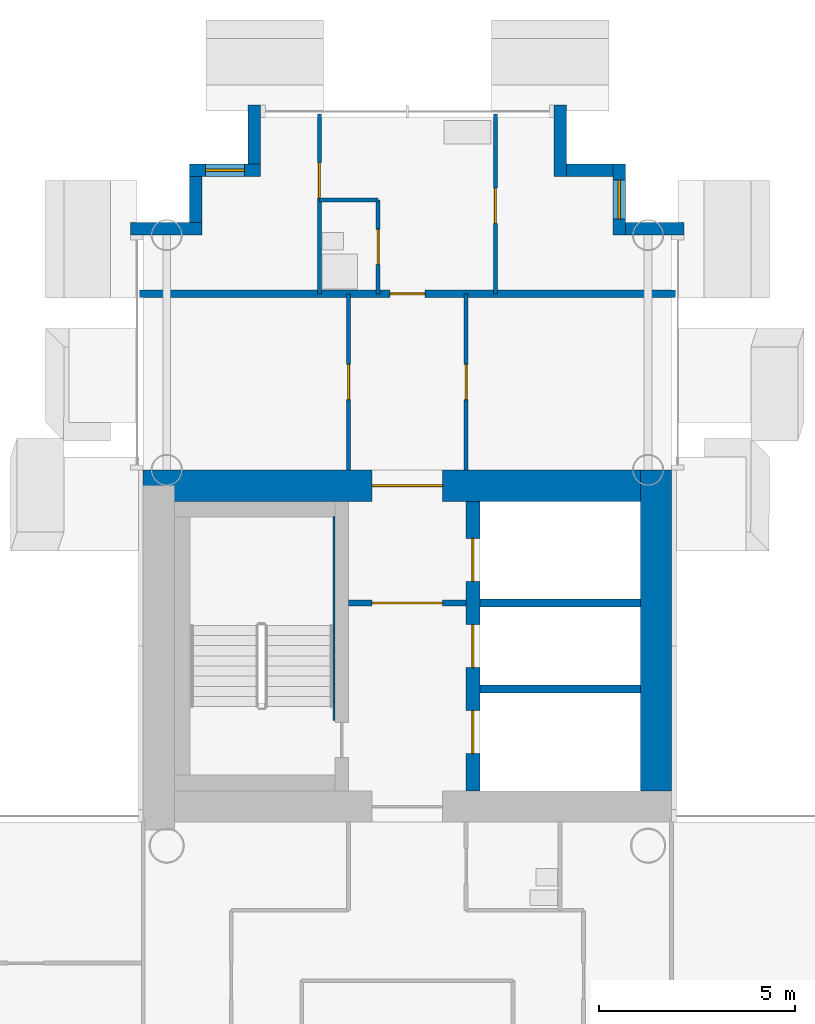
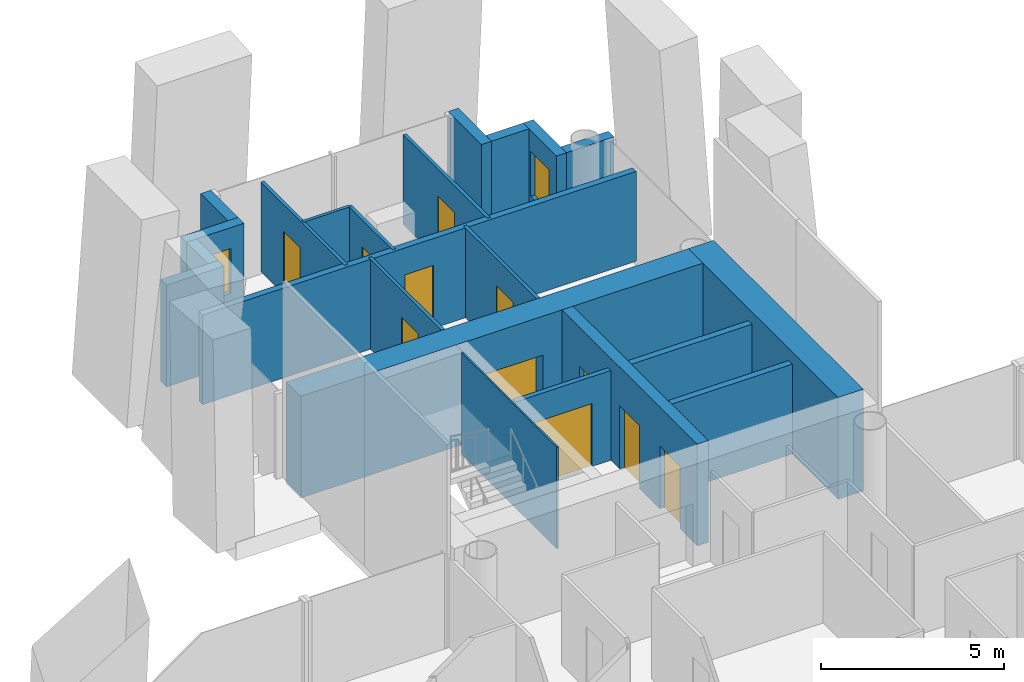
# One storey, part 11 of 19: 22 walls, 11 doors, 2 windows, 13 openings.
"""IFC4 building model written with IfcOpenShell, lengths in metres."""

from ifc_helpers import new_model, si_unit, direction, frame, frame_2d, origin, place, context, subcontext, project, spatial, rectangle, extrude, material, layer, layer_set, type_object, element, fill, save


model = new_model("IFC4")

# Units and contexts
model_context = context("Model", 3, precision=1e-05, world=origin(), true_north=direction((0.0, 1.0)))
body_context = subcontext(model_context, "Body", "Model", "MODEL_VIEW")
ifc_project = project(units=[si_unit("LENGTHUNIT", "METRE"), si_unit("AREAUNIT", "SQUARE_METRE"), si_unit("VOLUMEUNIT", "CUBIC_METRE"), si_unit("PLANEANGLEUNIT", "RADIAN"), si_unit("MASSUNIT", "GRAM", prefix="KILO")], contexts=[model_context])

# Site, building, storey
site_placement = place(None, origin())
site = spatial("IfcSite", under=ifc_project, at=site_placement, CompositionType="ELEMENT")
building_placement = place(site_placement, origin())
building = spatial("IfcBuilding", under=site, at=building_placement, Name="Ipe Terrace Towers", CompositionType="ELEMENT")
storey_placement = place(building_placement, frame((0.0, 0.0, 137.10009765625)))
storey = spatial("IfcBuildingStorey", under=building, at=storey_placement, Name="L37", CompositionType="ELEMENT", Elevation=137.10009765625)

# Wall
ifc_material_1 = material(Name="Concrete C40/50 with buff precast cladding", Category="concrete")
ifc_layer_1 = layer(ifc_material_1, 0.320068359375)
ifc_layer_set_1 = layer_set([ifc_layer_1], Name="BUFF CLADDING WALL 320")
wall_type_1 = type_object("IfcWallType", Name="BUFF CLADDING WALL 320", PredefinedType="STANDARD", material=ifc_layer_set_1)
wall_1_placement = place(storey_placement, frame((43.070068359375, 21.909912109375, -0.300048828125), z_axis=(0.0, 0.0, 1.0), x_axis=(-1.0, 0.0, 0.0)))
element("IfcWall", 1, at=wall_1_placement, inside=storey, type_object=wall_type_1, Name="T2-W-L37-17a wall", PredefinedType="STANDARD", context=body_context, shape_type="SweptSolid", body=[
    extrude(rectangle(XDim=1.5, YDim=0.320068359375, at=frame_2d((0.75, 0.0))), origin(), (0.0, 0.0, 1.0), 3.39990234375),
])

# Wall, opening, window
wall_2_placement = place(storey_placement, frame((41.409912109375, 21.75, -0.300048828125), z_axis=(0.0, 0.0, 1.0), x_axis=(0.0, 1.0, 0.0)))
wall_2 = element("IfcWall", 2, at=wall_2_placement, inside=storey, type_object=wall_type_1, Name="T2-W-L37-18a wall", PredefinedType="STANDARD", context=body_context, shape_type="SweptSolid", body=[
    extrude(rectangle(XDim=1.820068359375, YDim=0.320068359375, at=frame_2d((0.91015625, 0.0))), origin(), (0.0, 0.0, 1.0), 3.39990234375),
])
opening_1_placement = place(wall_2_placement, frame((0.409912109375, 0.0, 1.199951171875)))
opening_1 = element("IfcOpeningElement", 3, at=opening_1_placement, cuts=wall_2, Name="Opening T2-W-05-L37-02", PredefinedType="OPENING", context=body_context, shape_type="SweptSolid", body=[
    extrude(rectangle(XDim=1.0, YDim=1.5, at=frame_2d((0.5, 0.75))), frame((0.0, 0.169921875, 0.0), z_axis=(0.0, -1.0, 0.0), x_axis=(1.0, 0.0, 0.0)), (0.0, 0.0, 1.0), 0.340087890625),
])
ifc_material_2 = material(Name="Glass, clear laminated", Category="glass")
window_type = type_object("IfcWindowType", Name="DWELLING WINDOW 1000 x 1500", PartitioningType="SINGLE_PANEL", PredefinedType="WINDOW", material=ifc_material_2)
window_1_placement = place(opening_1_placement, origin())
window_1 = element("IfcWindow", 4, at=window_1_placement, inside=storey, type_object=window_type, Name="W-05 window", OverallHeight=1.5, OverallWidth=1.0, PartitioningType="SINGLE_PANEL", PredefinedType="WINDOW", context=body_context, shape_type="SweptSolid", body=[
    extrude(rectangle(XDim=1.0, YDim=1.5, at=frame_2d((0.5, 0.75))), frame((0.0, 0.030029296875, 0.0), z_axis=(0.0, -1.0, 0.0), x_axis=(1.0, 0.0, 0.0)), (0.0, 0.0, 1.0), 0.06005859375),
])
fill(opening_1, window_1)

# Walls
wall_3_placement = place(storey_placement, frame((41.25, 23.409912109375, -0.300048828125), z_axis=(0.0, 0.0, 1.0), x_axis=(-1.0, 0.0, 0.0)))
element("IfcWall", 5, at=wall_3_placement, inside=storey, type_object=wall_type_1, Name="T2-W-L37-19a wall", PredefinedType="STANDARD", context=body_context, shape_type="SweptSolid", body=[
    extrude(rectangle(XDim=1.179931640625, YDim=0.320068359375, at=frame_2d((0.58984375, 0.0))), origin(), (0.0, 0.0, 1.0), 3.39990234375),
])
wall_4_placement = place(storey_placement, frame((39.909912109375, 23.25, -0.300048828125), z_axis=(0.0, 0.0, 1.0), x_axis=(0.0, 1.0, 0.0)))
element("IfcWall", 6, at=wall_4_placement, inside=storey, type_object=wall_type_1, Name="T2-W-L37-20a wall", PredefinedType="STANDARD", context=body_context, shape_type="SweptSolid", body=[
    extrude(rectangle(XDim=1.820068359375, YDim=0.320068359375, at=frame_2d((0.91015625, 0.0))), origin(), (0.0, 0.0, 1.0), 3.39990234375),
])
wall_5_placement = place(storey_placement, frame((32.090087890625, 25.070068359375, -0.300048828125), z_axis=(0.0, 0.0, 1.0), x_axis=(0.0, -1.0, 0.0)))
element("IfcWall", 7, at=wall_5_placement, inside=storey, type_object=wall_type_1, Name="T2-W-L37-22a wall", PredefinedType="STANDARD", context=body_context, shape_type="SweptSolid", body=[
    extrude(rectangle(XDim=1.5, YDim=0.320068359375, at=frame_2d((0.75, 0.0))), origin(), (0.0, 0.0, 1.0), 3.39990234375),
])

# Wall, opening, window
wall_6_placement = place(storey_placement, frame((32.25, 23.409912109375, -0.300048828125), z_axis=(0.0, 0.0, 1.0), x_axis=(-1.0, 0.0, 0.0)))
wall_6 = element("IfcWall", 8, at=wall_6_placement, inside=storey, type_object=wall_type_1, Name="T2-W-L37-23a wall", PredefinedType="STANDARD", context=body_context, shape_type="SweptSolid", body=[
    extrude(rectangle(XDim=1.820068359375, YDim=0.320068359375, at=frame_2d((0.91015625, 0.0))), origin(), (0.0, 0.0, 1.0), 3.39990234375),
])
opening_2_placement = place(wall_6_placement, frame((0.409912109375, 0.0, 1.199951171875)))
opening_2 = element("IfcOpeningElement", 9, at=opening_2_placement, cuts=wall_6, Name="Opening T2-W-05-L37-01", PredefinedType="OPENING", context=body_context, shape_type="SweptSolid", body=[
    extrude(rectangle(XDim=1.0, YDim=1.5, at=frame_2d((0.5, 0.75))), frame((0.0, 0.169921875, 0.0), z_axis=(0.0, -1.0, 0.0), x_axis=(1.0, 0.0, 0.0)), (0.0, 0.0, 1.0), 0.340087890625),
])
window_2_placement = place(opening_2_placement, origin())
window_2 = element("IfcWindow", 10, at=window_2_placement, inside=storey, type_object=window_type, Name="W-05 window", OverallHeight=1.5, OverallWidth=1.0, PartitioningType="SINGLE_PANEL", PredefinedType="WINDOW", context=body_context, shape_type="SweptSolid", body=[
    extrude(rectangle(XDim=1.0, YDim=1.5, at=frame_2d((0.5, 0.75))), frame((0.0, 0.030029296875, 0.0), z_axis=(0.0, -1.0, 0.0), x_axis=(1.0, 0.0, 0.0)), (0.0, 0.0, 1.0), 0.06005859375),
])
fill(opening_2, window_2)

# Walls
wall_7_placement = place(storey_placement, frame((30.590087890625, 23.25, -0.300048828125), z_axis=(0.0, 0.0, 1.0), x_axis=(0.0, -1.0, 0.0)))
element("IfcWall", 11, at=wall_7_placement, inside=storey, type_object=wall_type_1, Name="T2-W-L37-24a wall", PredefinedType="STANDARD", context=body_context, shape_type="SweptSolid", body=[
    extrude(rectangle(XDim=1.179931640625, YDim=0.320068359375, at=frame_2d((0.58984375, 0.0))), origin(), (0.0, 0.0, 1.0), 3.39990234375),
])
wall_8_placement = place(storey_placement, frame((30.75, 21.909912109375, -0.300048828125), z_axis=(0.0, 0.0, 1.0), x_axis=(-1.0, 0.0, 0.0)))
element("IfcWall", 12, at=wall_8_placement, inside=storey, type_object=wall_type_1, Name="T2-W-L37-25a wall", PredefinedType="STANDARD", context=body_context, shape_type="SweptSolid", body=[
    extrude(rectangle(XDim=1.820068359375, YDim=0.320068359375, at=frame_2d((0.91015625, 0.0))), origin(), (0.0, 0.0, 1.0), 3.39990234375),
])
ifc_material_3 = material(Name="Gypsum board partition", Category="plasterboard")
ifc_layer_2 = layer(ifc_material_3, 0.10009765625)
ifc_layer_set_2 = layer_set([ifc_layer_2], Name="Gypsum board partition 100 mm")
wall_type_2 = type_object("IfcWallType", Name="Gypsum board partition 100 mm", PredefinedType="PARTITIONING", material=ifc_layer_set_2)
wall_9_placement = place(storey_placement, frame((35.25, 22.64990234375, 0.0), z_axis=(0.0, 0.0, 1.0), x_axis=(-1.0, 0.0, 0.0)))
element("IfcWall", 13, at=wall_9_placement, inside=storey, type_object=wall_type_2, Name="Gypsum board partition T2 L37 W16", PredefinedType="PARTITIONING", context=body_context, shape_type="SweptSolid", body=[
    extrude(rectangle(XDim=1.5, YDim=0.10009765625, at=frame_2d((0.75, 0.0))), origin(), (0.0, 0.0, 1.0), 3.0),
])

# Wall, opening, door
wall_10_placement = place(storey_placement, frame((38.25, 20.25, 0.0), z_axis=(0.0, 0.0, 1.0), x_axis=(0.0, 1.0, 0.0)))
wall_10 = element("IfcWall", 14, at=wall_10_placement, inside=storey, type_object=wall_type_2, Name="Gypsum board partition T2 L37 W24", PredefinedType="PARTITIONING", context=body_context, shape_type="SweptSolid", body=[
    extrude(rectangle(XDim=4.60009765625, YDim=0.10009765625, at=frame_2d((2.300048828125, 0.0))), origin(), (0.0, 0.0, 1.0), 3.0),
])
opening_3_placement = place(wall_10_placement, frame((1.800048828125, 0.0, 0.0)))
opening_3 = element("IfcOpeningElement", 15, at=opening_3_placement, cuts=wall_10, Name="Opening T2-Z3A-22", PredefinedType="OPENING", context=body_context, shape_type="SweptSolid", body=[
    extrude(rectangle(XDim=0.89990234375, YDim=2.10009765625, at=frame_2d((0.449951171875, 1.050048828125))), frame((0.0, 0.06005859375, 0.0), z_axis=(0.0, -1.0, 0.0), x_axis=(1.0, 0.0, 0.0)), (0.0, 0.0, 1.0), 0.1201171875),
])
ifc_material_4 = material(Name="Timber door leaf", Category="wood")
door_type_1 = type_object("IfcDoorType", Name="Bedroom door 900 x 2100", OperationType="NOTDEFINED", PredefinedType="DOOR", material=ifc_material_4)
door_1_placement = place(opening_3_placement, origin())
door_1 = element("IfcDoor", 16, at=door_1_placement, inside=storey, type_object=door_type_1, Name="Bedroom door T2-Z3A-22", OperationType="SINGLE_SWING_LEFT", OverallHeight=2.10009765625, OverallWidth=0.89990234375, PredefinedType="DOOR", context=body_context, shape_type="SweptSolid", body=[
    extrude(rectangle(XDim=0.89990234375, YDim=2.10009765625, at=frame_2d((0.449951171875, 1.050048828125))), frame((0.0, 0.02490234375, 0.0), z_axis=(0.0, -1.0, 0.0), x_axis=(1.0, 0.0, 0.0)), (0.0, 0.0, 1.0), 0.050048828125),
])
fill(opening_3, door_1)

wall_11_placement = place(storey_placement, frame((37.5, 15.75, 0.0), z_axis=(0.0, 0.0, 1.0), x_axis=(0.0, 1.0, 0.0)))
wall_11 = element("IfcWall", 17, at=wall_11_placement, inside=storey, type_object=wall_type_2, Name="Gypsum board partition T2 L37 W27", PredefinedType="PARTITIONING", context=body_context, shape_type="SweptSolid", body=[
    extrude(rectangle(XDim=4.5, YDim=0.10009765625, at=frame_2d((2.25, 0.0))), origin(), (0.0, 0.0, 1.0), 3.0),
])
opening_4_placement = place(wall_11_placement, frame((1.800048828125, 0.0, 0.0)))
opening_4 = element("IfcOpeningElement", 18, at=opening_4_placement, cuts=wall_11, Name="Opening T2-Z3A-18", PredefinedType="OPENING", context=body_context, shape_type="SweptSolid", body=[
    extrude(rectangle(XDim=0.89990234375, YDim=2.10009765625, at=frame_2d((0.449951171875, 1.050048828125))), frame((0.0, 0.06005859375, 0.0), z_axis=(0.0, -1.0, 0.0), x_axis=(1.0, 0.0, 0.0)), (0.0, 0.0, 1.0), 0.1201171875),
])
ifc_material_5 = material(Name="Timber door leaf", Category="wood")
door_type_2 = type_object("IfcDoorType", Name="Lounge door 900 x 2100", OperationType="NOTDEFINED", PredefinedType="DOOR", material=ifc_material_5)
door_2_placement = place(opening_4_placement, origin())
door_2 = element("IfcDoor", 19, at=door_2_placement, inside=storey, type_object=door_type_2, Name="Lounge door T2-Z3A-18", OperationType="SINGLE_SWING_RIGHT", OverallHeight=2.10009765625, OverallWidth=0.89990234375, PredefinedType="DOOR", context=body_context, shape_type="SweptSolid", body=[
    extrude(rectangle(XDim=0.89990234375, YDim=2.10009765625, at=frame_2d((0.449951171875, 1.050048828125))), frame((0.0, 0.02490234375, 0.0), z_axis=(0.0, -1.0, 0.0), x_axis=(1.0, 0.0, 0.0)), (0.0, 0.0, 1.0), 0.050048828125),
])
fill(opening_4, door_2)

wall_12_placement = place(storey_placement, frame((35.25, 20.25, 0.0), z_axis=(0.0, 0.0, 1.0), x_axis=(0.0, 1.0, 0.0)))
wall_12 = element("IfcWall", 20, at=wall_12_placement, inside=storey, type_object=wall_type_2, Name="Gypsum board partition T2 L37 W28", PredefinedType="PARTITIONING", context=body_context, shape_type="SweptSolid", body=[
    extrude(rectangle(XDim=2.39990234375, YDim=0.10009765625, at=frame_2d((1.199951171875, 0.0))), origin(), (0.0, 0.0, 1.0), 3.0),
])
opening_5_placement = place(wall_12_placement, frame((0.75, 0.0, 0.0)))
opening_5 = element("IfcOpeningElement", 21, at=opening_5_placement, cuts=wall_12, Name="Opening T2-Z3A-19", PredefinedType="OPENING", context=body_context, shape_type="SweptSolid", body=[
    extrude(rectangle(XDim=0.89990234375, YDim=2.10009765625, at=frame_2d((0.449951171875, 1.050048828125))), frame((0.0, 0.06005859375, 0.0), z_axis=(0.0, -1.0, 0.0), x_axis=(1.0, 0.0, 0.0)), (0.0, 0.0, 1.0), 0.1201171875),
])
ifc_material_6 = material(Name="Timber door leaf", Category="wood")
door_type_3 = type_object("IfcDoorType", Name="Bathroom door 900 x 2100", OperationType="NOTDEFINED", PredefinedType="DOOR", material=ifc_material_6)
door_3_placement = place(opening_5_placement, origin())
door_3 = element("IfcDoor", 22, at=door_3_placement, inside=storey, type_object=door_type_3, Name="Bathroom door T2-Z3A-19", OperationType="SINGLE_SWING_LEFT", OverallHeight=2.10009765625, OverallWidth=0.89990234375, PredefinedType="DOOR", context=body_context, shape_type="SweptSolid", body=[
    extrude(rectangle(XDim=0.89990234375, YDim=2.10009765625, at=frame_2d((0.449951171875, 1.050048828125))), frame((0.0, 0.02490234375, 0.0), z_axis=(0.0, -1.0, 0.0), x_axis=(1.0, 0.0, 0.0)), (0.0, 0.0, 1.0), 0.050048828125),
])
fill(opening_5, door_3)

wall_13_placement = place(storey_placement, frame((34.5, 15.75, 0.0), z_axis=(0.0, 0.0, 1.0), x_axis=(0.0, 1.0, 0.0)))
wall_13 = element("IfcWall", 23, at=wall_13_placement, inside=storey, type_object=wall_type_2, Name="Gypsum board partition T2 L37 W31", PredefinedType="PARTITIONING", context=body_context, shape_type="SweptSolid", body=[
    extrude(rectangle(XDim=4.5, YDim=0.10009765625, at=frame_2d((2.25, 0.0))), origin(), (0.0, 0.0, 1.0), 3.0),
])
opening_6_placement = place(wall_13_placement, frame((1.800048828125, 0.0, 0.0)))
opening_6 = element("IfcOpeningElement", 24, at=opening_6_placement, cuts=wall_13, Name="Opening T2-Z3A-17", PredefinedType="OPENING", context=body_context, shape_type="SweptSolid", body=[
    extrude(rectangle(XDim=0.89990234375, YDim=2.10009765625, at=frame_2d((0.449951171875, 1.050048828125))), frame((0.0, 0.06005859375, 0.0), z_axis=(0.0, -1.0, 0.0), x_axis=(1.0, 0.0, 0.0)), (0.0, 0.0, 1.0), 0.1201171875),
])
door_4_placement = place(opening_6_placement, origin())
door_4 = element("IfcDoor", 25, at=door_4_placement, inside=storey, type_object=door_type_2, Name="Lounge door T2-Z3A-17", OperationType="SINGLE_SWING_LEFT", OverallHeight=2.10009765625, OverallWidth=0.89990234375, PredefinedType="DOOR", context=body_context, shape_type="SweptSolid", body=[
    extrude(rectangle(XDim=0.89990234375, YDim=2.10009765625, at=frame_2d((0.449951171875, 1.050048828125))), frame((0.0, 0.02490234375, 0.0), z_axis=(0.0, -1.0, 0.0), x_axis=(1.0, 0.0, 0.0)), (0.0, 0.0, 1.0), 0.050048828125),
])
fill(opening_6, door_4)

wall_14_placement = place(storey_placement, frame((33.75, 20.25, 0.0), z_axis=(0.0, 0.0, 1.0), x_axis=(0.0, 1.0, 0.0)))
wall_14 = element("IfcWall", 26, at=wall_14_placement, inside=storey, type_object=wall_type_2, Name="Gypsum board partition T2 L37 W32", PredefinedType="PARTITIONING", context=body_context, shape_type="SweptSolid", body=[
    extrude(rectangle(XDim=4.60009765625, YDim=0.10009765625, at=frame_2d((2.300048828125, 0.0))), origin(), (0.0, 0.0, 1.0), 3.0),
])
opening_7_placement = place(wall_14_placement, frame((2.449951171875, 0.0, 0.0)))
opening_7 = element("IfcOpeningElement", 27, at=opening_7_placement, cuts=wall_14, Name="Opening T2-Z3A-21", PredefinedType="OPENING", context=body_context, shape_type="SweptSolid", body=[
    extrude(rectangle(XDim=0.89990234375, YDim=2.10009765625, at=frame_2d((0.449951171875, 1.050048828125))), frame((0.0, 0.06005859375, 0.0), z_axis=(0.0, -1.0, 0.0), x_axis=(1.0, 0.0, 0.0)), (0.0, 0.0, 1.0), 0.1201171875),
])
door_5_placement = place(opening_7_placement, origin())
door_5 = element("IfcDoor", 28, at=door_5_placement, inside=storey, type_object=door_type_1, Name="Bedroom door T2-Z3A-21", OperationType="SINGLE_SWING_LEFT", OverallHeight=2.10009765625, OverallWidth=0.89990234375, PredefinedType="DOOR", context=body_context, shape_type="SweptSolid", body=[
    extrude(rectangle(XDim=0.89990234375, YDim=2.10009765625, at=frame_2d((0.449951171875, 1.050048828125))), frame((0.0, 0.02490234375, 0.0), z_axis=(0.0, -1.0, 0.0), x_axis=(1.0, 0.0, 0.0)), (0.0, 0.0, 1.0), 0.050048828125),
])
fill(opening_7, door_5)

ifc_material_7 = material(Name="Gypsum board partition", Category="plasterboard")
ifc_layer_3 = layer(ifc_material_7, 0.14990234375)
ifc_layer_set_3 = layer_set([ifc_layer_3], Name="Gypsum board partition 150 mm")
wall_type_3 = type_object("IfcWallType", Name="Gypsum board partition 150 mm", PredefinedType="PARTITIONING", material=ifc_layer_set_3)
wall_15_placement = place(storey_placement, frame((37.5, 12.35009765625, 0.0), z_axis=(0.0, 0.0, 1.0), x_axis=(-1.0, 0.0, 0.0)))
wall_15 = element("IfcWall", 29, at=wall_15_placement, inside=storey, type_object=wall_type_3, Name="Gypsum board partition T2 L37 t2c1-lobby-wall", PredefinedType="PARTITIONING", context=body_context, shape_type="SweptSolid", body=[
    extrude(rectangle(XDim=3.0, YDim=0.14990234375, at=frame_2d((1.5, 0.0))), origin(), (0.0, 0.0, 1.0), 3.0),
])
opening_8_placement = place(wall_15_placement, frame((0.60009765625, 0.0, 0.0)))
opening_8 = element("IfcOpeningElement", 30, at=opening_8_placement, cuts=wall_15, Name="Opening T2C1-VD", PredefinedType="OPENING", context=body_context, shape_type="SweptSolid", body=[
    extrude(rectangle(XDim=1.800048828125, YDim=2.10009765625, at=frame_2d((0.89990234375, 1.050048828125))), frame((0.0, 0.0849609375, 0.0), z_axis=(0.0, -1.0, 0.0), x_axis=(1.0, 0.0, 0.0)), (0.0, 0.0, 1.0), 0.169921875),
])
ifc_material_8 = material(Name="Fire-rated timber door leaf", Category="wood")
door_type_4 = type_object("IfcDoorType", Name="Lobby door 1800 x 2100 FD60", OperationType="NOTDEFINED", PredefinedType="DOOR", material=ifc_material_8)
door_6_placement = place(opening_8_placement, origin())
door_6 = element("IfcDoor", 31, at=door_6_placement, inside=storey, type_object=door_type_4, Name="Lobby door T2C1-VD", OperationType="SINGLE_SWING_LEFT", OverallHeight=2.10009765625, OverallWidth=1.800048828125, PredefinedType="DOOR", context=body_context, shape_type="SweptSolid", body=[
    extrude(rectangle(XDim=1.800048828125, YDim=2.10009765625, at=frame_2d((0.89990234375, 1.050048828125))), frame((0.0, 0.02490234375, 0.0), z_axis=(0.0, -1.0, 0.0), x_axis=(1.0, 0.0, 0.0)), (0.0, 0.0, 1.0), 0.050048828125),
])
fill(opening_8, door_6)

# Walls
ifc_material_9 = material(Name="Gypsum board party wall", Category="plasterboard")
ifc_layer_4 = layer(ifc_material_9, 0.199951171875)
ifc_layer_set_4 = layer_set([ifc_layer_4], Name="Gypsum board party wall 200 mm")
wall_type_4 = type_object("IfcWallType", Name="Gypsum board party wall 200 mm", PredefinedType="SOLIDWALL", material=ifc_layer_set_4)
for number, where, z_axis, x_axis, name in (
    (32, (41.949951171875, 10.14990234375, 0.0), (0.0, 0.0, 1.0), (-1.0, 0.0, 0.0), "Gypsum board party wall T2 L37 t2c1-shaft-div1"),
    (33, (41.949951171875, 12.35009765625, 0.0), (0.0, 0.0, 1.0), (-1.0, 0.0, 0.0), "Gypsum board party wall T2 L37 t2c1-shaft-div2"),
):
    element("IfcWall", number, at=place(storey_placement, frame(where, z_axis=z_axis, x_axis=x_axis)), inside=storey, type_object=wall_type_4, Name=name, PredefinedType="SOLIDWALL", context=body_context, shape_type="SweptSolid", body=[
        extrude(rectangle(XDim=4.099853515625, YDim=0.199951171875, at=frame_2d((2.0498046875, 0.0))), origin(), (0.0, 0.0, 1.0), 3.0),
    ])

# Wall, opening, door
wall_16_placement = place(storey_placement, frame((42.85009765625, 20.25, 0.0), z_axis=(0.0, 0.0, 1.0), x_axis=(-1.0, 0.0, 0.0)))
wall_16 = element("IfcWall", 34, at=wall_16_placement, inside=storey, type_object=wall_type_4, Name="Gypsum board party wall T2 L37 W15", PredefinedType="SOLIDWALL", context=body_context, shape_type="SweptSolid", body=[
    extrude(rectangle(XDim=13.7001953125, YDim=0.199951171875, at=frame_2d((6.85009765625, 0.0))), origin(), (0.0, 0.0, 1.0), 3.0),
])
opening_9_placement = place(wall_16_placement, frame((6.39990234375, 0.0, 0.0)))
opening_9 = element("IfcOpeningElement", 35, at=opening_9_placement, cuts=wall_16, Name="Opening T2-Z3A-20", PredefinedType="OPENING", context=body_context, shape_type="SweptSolid", body=[
    extrude(rectangle(XDim=0.89990234375, YDim=2.10009765625, at=frame_2d((0.449951171875, 1.050048828125))), frame((0.0, 0.10986328125, 0.0), z_axis=(0.0, -1.0, 0.0), x_axis=(1.0, 0.0, 0.0)), (0.0, 0.0, 1.0), 0.219970703125),
])
ifc_material_10 = material(Name="Fire-rated timber door leaf", Category="wood")
door_type_5 = type_object("IfcDoorType", Name="Flat entrance door 900 x 2100 FD30S", OperationType="NOTDEFINED", PredefinedType="DOOR", material=ifc_material_10)
door_7_placement = place(opening_9_placement, origin())
door_7 = element("IfcDoor", 36, at=door_7_placement, inside=storey, type_object=door_type_5, Name="Flat entrance door T2-Z3A-20", OperationType="SINGLE_SWING_RIGHT", OverallHeight=2.10009765625, OverallWidth=0.89990234375, PredefinedType="DOOR", context=body_context, shape_type="SweptSolid", body=[
    extrude(rectangle(XDim=0.89990234375, YDim=2.10009765625, at=frame_2d((0.449951171875, 1.050048828125))), frame((0.0, 0.02490234375, 0.0), z_axis=(0.0, -1.0, 0.0), x_axis=(1.0, 0.0, 0.0)), (0.0, 0.0, 1.0), 0.050048828125),
])
fill(opening_9, door_7)

# Wall, openings, doors
ifc_material_11 = material(Name="Concrete C50/60", Category="concrete")
ifc_layer_5 = layer(ifc_material_11, 0.35009765625)
ifc_layer_set_5 = layer_set([ifc_layer_5], Name="RW350 CORE SPINE WALL 350 C50-60")
wall_type_5 = type_object("IfcWallType", Name="RW350 CORE SPINE WALL 350 C50-60", PredefinedType="SHEAR", material=ifc_layer_set_5)
wall_17_placement = place(storey_placement, frame((37.675048828125, 7.550048828125, 0.0), z_axis=(0.0, 0.0, 1.0), x_axis=(0.0, 1.0, 0.0)))
wall_17 = element("IfcWall", 37, at=wall_17_placement, inside=storey, type_object=wall_type_5, Name="Core spine wall T2-C1-Z3-SW2", PredefinedType="SHEAR", context=body_context, shape_type="SweptSolid", body=[
    extrude(rectangle(XDim=7.39990234375, YDim=0.35009765625, at=frame_2d((3.699951171875, 0.0))), origin(), (0.0, 0.0, 1.0), 3.39990234375),
])
opening_10_placement = place(wall_17_placement, frame((0.949951171875, 0.0, 0.0)))
opening_10 = element("IfcOpeningElement", 38, at=opening_10_placement, cuts=wall_17, Name="Opening T2C1-LD1", PredefinedType="OPENING", context=body_context, shape_type="SweptSolid", body=[
    extrude(rectangle(XDim=1.10009765625, YDim=2.10009765625, at=frame_2d((0.550048828125, 1.050048828125))), frame((0.0, 0.18505859375, 0.0), z_axis=(0.0, -1.0, 0.0), x_axis=(1.0, 0.0, 0.0)), (0.0, 0.0, 1.0), 0.3701171875),
])
opening_11_placement = place(wall_17_placement, frame((3.14990234375, 0.0, 0.0)))
opening_11 = element("IfcOpeningElement", 39, at=opening_11_placement, cuts=wall_17, Name="Opening T2C1-LD2", PredefinedType="OPENING", context=body_context, shape_type="SweptSolid", body=[
    extrude(rectangle(XDim=1.10009765625, YDim=2.10009765625, at=frame_2d((0.550048828125, 1.050048828125))), frame((0.0, 0.18505859375, 0.0), z_axis=(0.0, -1.0, 0.0), x_axis=(1.0, 0.0, 0.0)), (0.0, 0.0, 1.0), 0.3701171875),
])
opening_12_placement = place(wall_17_placement, frame((5.35009765625, 0.0, 0.0)))
opening_12 = element("IfcOpeningElement", 40, at=opening_12_placement, cuts=wall_17, Name="Opening T2C1-LD3", PredefinedType="OPENING", context=body_context, shape_type="SweptSolid", body=[
    extrude(rectangle(XDim=1.10009765625, YDim=2.10009765625, at=frame_2d((0.550048828125, 1.050048828125))), frame((0.0, 0.18505859375, 0.0), z_axis=(0.0, -1.0, 0.0), x_axis=(1.0, 0.0, 0.0)), (0.0, 0.0, 1.0), 0.3701171875),
])
ifc_material_12 = material(Name="Fire-rated timber door leaf", Category="wood")
door_type_6 = type_object("IfcDoorType", Name="Sliding door 1100 x 2100 FD60", OperationType="SLIDING_TO_LEFT", PredefinedType="DOOR", material=ifc_material_12)
door_8_placement = place(opening_10_placement, origin())
door_8 = element("IfcDoor", 41, at=door_8_placement, inside=storey, type_object=door_type_6, Name="Sliding door T2C1-LD1", OperationType="SLIDING_TO_LEFT", OverallHeight=2.10009765625, OverallWidth=1.10009765625, PredefinedType="DOOR", context=body_context, shape_type="SweptSolid", body=[
    extrude(rectangle(XDim=1.10009765625, YDim=2.10009765625, at=frame_2d((0.550048828125, 1.050048828125))), frame((0.0, 0.02490234375, 0.0), z_axis=(0.0, -1.0, 0.0), x_axis=(1.0, 0.0, 0.0)), (0.0, 0.0, 1.0), 0.050048828125),
])
fill(opening_10, door_8)
door_9_placement = place(opening_11_placement, origin())
door_9 = element("IfcDoor", 42, at=door_9_placement, inside=storey, type_object=door_type_6, Name="Sliding door T2C1-LD2", OperationType="SLIDING_TO_LEFT", OverallHeight=2.10009765625, OverallWidth=1.10009765625, PredefinedType="DOOR", context=body_context, shape_type="SweptSolid", body=[
    extrude(rectangle(XDim=1.10009765625, YDim=2.10009765625, at=frame_2d((0.550048828125, 1.050048828125))), frame((0.0, 0.02490234375, 0.0), z_axis=(0.0, -1.0, 0.0), x_axis=(1.0, 0.0, 0.0)), (0.0, 0.0, 1.0), 0.050048828125),
])
fill(opening_11, door_9)
door_10_placement = place(opening_12_placement, origin())
door_10 = element("IfcDoor", 43, at=door_10_placement, inside=storey, type_object=door_type_6, Name="Sliding door T2C1-LD3", OperationType="SLIDING_TO_LEFT", OverallHeight=2.10009765625, OverallWidth=1.10009765625, PredefinedType="DOOR", context=body_context, shape_type="SweptSolid", body=[
    extrude(rectangle(XDim=1.10009765625, YDim=2.10009765625, at=frame_2d((0.550048828125, 1.050048828125))), frame((0.0, 0.02490234375, 0.0), z_axis=(0.0, -1.0, 0.0), x_axis=(1.0, 0.0, 0.0)), (0.0, 0.0, 1.0), 0.050048828125),
])
fill(opening_12, door_10)

# Walls
ifc_material_13 = material(Name="Concrete C50/60", Category="concrete")
ifc_layer_6 = layer(ifc_material_13, 0.050048828125)
ifc_layer_set_6 = layer_set([ifc_layer_6], Name="RW50 CORE INFILL WALL 50 C50-60")
wall_type_6 = type_object("IfcWallType", Name="RW50 CORE INFILL WALL 50 C50-60", PredefinedType="SHEAR", material=ifc_layer_set_6)
wall_18_placement = place(storey_placement, frame((34.125, 9.35009765625, 0.0), z_axis=(0.0, 0.0, 1.0), x_axis=(0.0, 1.0, 0.0)))
element("IfcWall", 44, at=wall_18_placement, inside=storey, type_object=wall_type_6, Name="Core infill wall T2-C1-spine-b", PredefinedType="SHEAR", context=body_context, shape_type="SweptSolid", body=[
    extrude(rectangle(XDim=5.199951171875, YDim=0.050048828125, at=frame_2d((2.60009765625, 0.0))), origin(), (0.0, 0.0, 1.0), 3.39990234375),
])
ifc_material_14 = material(Name="Concrete C50/60", Category="concrete")
ifc_layer_7 = layer(ifc_material_14, 0.800048828125)
ifc_layer_set_7 = layer_set([ifc_layer_7], Name="RW800 CORE WALL 800 C50-60")
wall_type_7 = type_object("IfcWallType", Name="RW800 CORE WALL 800 C50-60", PredefinedType="SHEAR", material=ifc_layer_set_7)
wall_19_placement = place(storey_placement, frame((42.35009765625, 7.550048828125, 0.0), z_axis=(0.0, 0.0, 1.0), x_axis=(0.0, 1.0, 0.0)))
element("IfcWall", 45, at=wall_19_placement, inside=storey, type_object=wall_type_7, Name="Core wall T2-C1-Z3-W02", PredefinedType="SHEAR", context=body_context, shape_type="SweptSolid", body=[
    extrude(rectangle(XDim=8.199951171875, YDim=0.800048828125, at=frame_2d((4.10009765625, 0.0))), origin(), (0.0, 0.0, 1.0), 3.39990234375),
])

# Wall, opening, door
wall_20_placement = place(storey_placement, frame((41.949951171875, 15.35009765625, 0.0), z_axis=(0.0, 0.0, 1.0), x_axis=(-1.0, 0.0, 0.0)))
wall_20 = element("IfcWall", 46, at=wall_20_placement, inside=storey, type_object=wall_type_7, Name="Core wall T2-C1-Z3-W03", PredefinedType="SHEAR", context=body_context, shape_type="SweptSolid", body=[
    extrude(rectangle(XDim=12.699951171875, YDim=0.800048828125, at=frame_2d((6.35009765625, 0.0))), origin(), (0.0, 0.0, 1.0), 3.39990234375),
])
opening_13_placement = place(wall_20_placement, frame((5.050048828125, 0.0, 0.0)))
opening_13 = element("IfcOpeningElement", 47, at=opening_13_placement, cuts=wall_20, Name="Opening T2C1-FD", PredefinedType="OPENING", context=body_context, shape_type="SweptSolid", body=[
    extrude(rectangle(XDim=1.800048828125, YDim=2.10009765625, at=frame_2d((0.89990234375, 1.050048828125))), frame((0.0, 0.41015625, 0.0), z_axis=(0.0, -1.0, 0.0), x_axis=(1.0, 0.0, 0.0)), (0.0, 0.0, 1.0), 0.820068359375),
])
ifc_material_15 = material(Name="Fire-rated timber door leaf", Category="wood")
door_type_7 = type_object("IfcDoorType", Name="Fire door 1800 x 2100 FD30S", OperationType="NOTDEFINED", PredefinedType="DOOR", material=ifc_material_15)
door_11_placement = place(opening_13_placement, origin())
door_11 = element("IfcDoor", 48, at=door_11_placement, inside=storey, type_object=door_type_7, Name="Fire door T2C1-FD", OperationType="SINGLE_SWING_LEFT", OverallHeight=2.10009765625, OverallWidth=1.800048828125, PredefinedType="DOOR", context=body_context, shape_type="SweptSolid", body=[
    extrude(rectangle(XDim=1.800048828125, YDim=2.10009765625, at=frame_2d((0.89990234375, 1.050048828125))), frame((0.0, 0.02490234375, 0.0), z_axis=(0.0, -1.0, 0.0), x_axis=(1.0, 0.0, 0.0)), (0.0, 0.0, 1.0), 0.050048828125),
])
fill(opening_13, door_11)

save(model, "model.ifc")
